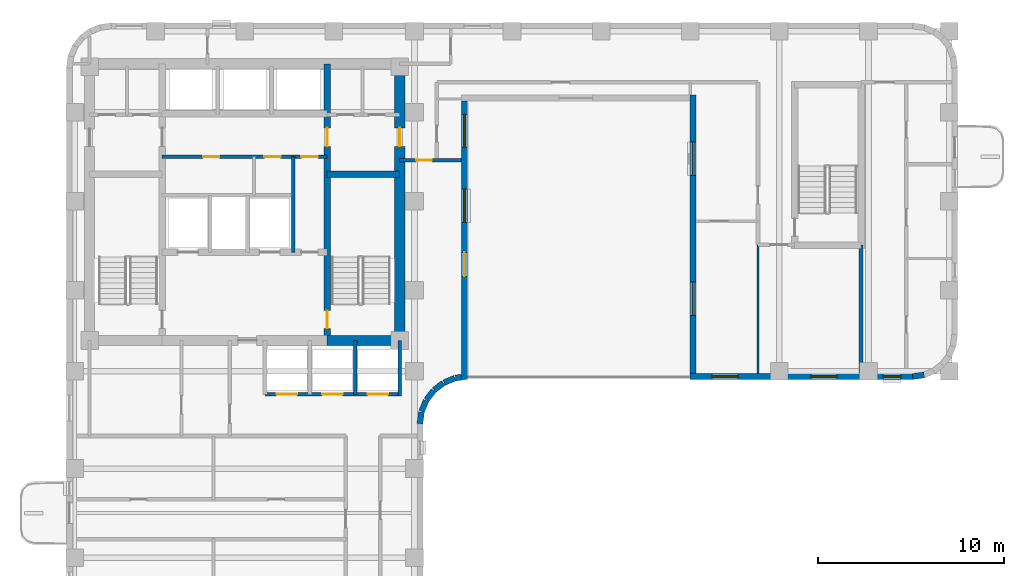
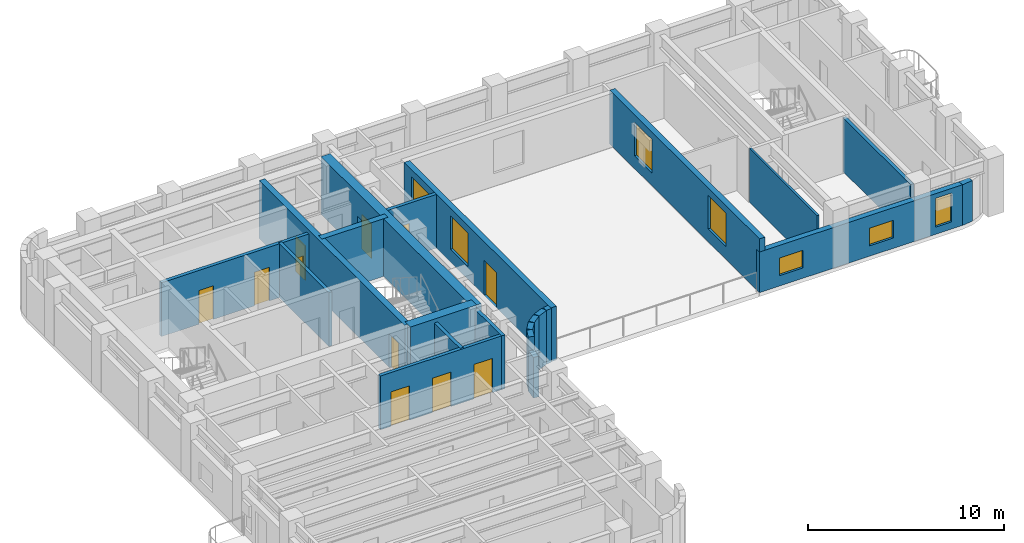
# One storey, part 4 of 9: 22 walls, 11 doors, 7 windows, 18 openings.
"""IFC4 building model written with IfcOpenShell, lengths in metres."""

import ifcopenshell
import ifcopenshell.guid

model = None  # the IFC model being written
_history = None  # IfcOwnerHistory: only IFC2X3 demands one
_inside = {}  # id of a spatial element -> (the spatial element, [elements in it])
_under = {}  # id of a project, library or spatial element -> (it, [spatial elements below it])
_declared = {}  # id of a project -> (the project, [libraries it declares])
_typed = {}  # id of a type object -> (the type object, [elements of that type])
_made_of = {}  # id of a material, layer set ... -> (it, [elements and type objects made of it])


def new_model(schema):
    """Start an empty IFC model of exactly this schema.

    Asked for "IFC4X3", IfcOpenShell would pick the latest addendum, in which some entities
    have other attributes; the version numbers below select the first issue.
    IFC2X3 requires an IfcOwnerHistory on every rooted entity: one is made here for all.
    """
    global model, _history
    if schema == "IFC4X3":
        model = ifcopenshell.file(schema_version=(4, 3, 0, 0))
    else:
        model = ifcopenshell.file(schema=schema)
    _inside.clear()
    _under.clear()
    _declared.clear()
    _typed.clear()
    _made_of.clear()
    _history = None
    if model.schema == "IFC2X3":
        org = make("IfcOrganization", Name="unknown")
        user = make(
            "IfcPersonAndOrganization",
            ThePerson=make("IfcPerson", FamilyName="unknown"),
            TheOrganization=org,
        )
        app = make(
            "IfcApplication",
            ApplicationDeveloper=org,
            Version="unknown",
            ApplicationFullName="unknown",
            ApplicationIdentifier="unknown",
        )
        _history = make(
            "IfcOwnerHistory",
            OwningUser=user,
            OwningApplication=app,
            ChangeAction="ADDED",
            CreationDate=0,
        )
    return model


def make(cls, **values):
    """One entity of the class cls with the attributes given. An attribute that is None is left unset."""
    return model.create_entity(
        cls, **{name: value for name, value in values.items() if value is not None}
    )


def rooted(cls, **values):
    """An entity with a GlobalId (a new one), such as an element, a storey or a relation."""
    return make(cls, GlobalId=ifcopenshell.guid.new(), OwnerHistory=_history, **values)


def si_unit(unit_type, name, prefix=None):
    """IfcSIUnit, for example si_unit("LENGTHUNIT", "METRE", prefix="MILLI")."""
    return make("IfcSIUnit", UnitType=unit_type, Prefix=prefix, Name=name)


def assignment(units):
    """IfcUnitAssignment: the units of a project."""
    return None if units is None else make("IfcUnitAssignment", Units=units)


def point(xyz):
    """IfcCartesianPoint."""
    return None if xyz is None else make("IfcCartesianPoint", Coordinates=xyz)


def direction(xyz):
    """IfcDirection."""
    return None if xyz is None else make("IfcDirection", DirectionRatios=xyz)


def frame(location, z_axis=None, x_axis=None):
    """IfcAxis2Placement3D, a coordinate frame: its origin and axes. An axis left out is left unset."""
    return make(
        "IfcAxis2Placement3D",
        Location=point(location),
        Axis=direction(z_axis),
        RefDirection=direction(x_axis),
    )


def frame_2d(location, x_axis=None):
    """IfcAxis2Placement2D, a coordinate frame in the plane: its origin and x axis."""
    return make(
        "IfcAxis2Placement2D", Location=point(location), RefDirection=direction(x_axis)
    )


def origin():
    """The frame at (0, 0, 0) with its axes left unset."""
    return frame((0.0, 0.0, 0.0))


def place(relative_to, where):
    """IfcLocalPlacement: puts the frame where relative to a parent placement (None: the world)."""
    return make(
        "IfcLocalPlacement", PlacementRelTo=relative_to, RelativePlacement=where
    )


def context(
    kind, dimensions, precision=None, world=None, true_north=None, identifier=None
):
    """IfcGeometricRepresentationContext, for example the 3D "Model" context."""
    return make(
        "IfcGeometricRepresentationContext",
        ContextIdentifier=identifier,
        ContextType=kind,
        CoordinateSpaceDimension=dimensions,
        Precision=precision,
        WorldCoordinateSystem=world,
        TrueNorth=true_north,
    )


def subcontext(parent, identifier, kind, view, scale=None):
    """IfcGeometricRepresentationSubContext, for example "Body" below "Model"."""
    return make(
        "IfcGeometricRepresentationSubContext",
        ContextIdentifier=identifier,
        ContextType=kind,
        ParentContext=parent,
        TargetScale=scale,
        TargetView=view,
    )


def project(units=None, contexts=None):
    """IfcProject with its units and contexts."""
    return rooted(
        "IfcProject",
        Name="project",
        RepresentationContexts=contexts,
        UnitsInContext=assignment(units),
    )


def spatial(cls, under=None, at=None, **own):
    """A site, building, storey or space (cls), placed at a placement, below another one or the project."""
    s = rooted(cls, ObjectPlacement=at, **own)
    if under is not None:
        _under.setdefault(under.id(), (under, []))[1].append(s)
    return s


def profile(cls, at=None, kind="AREA", **sizes):
    """A parametric profile (cls). Its sizes go by their IFC names, for example OverallWidth=200.0."""
    return make(cls, ProfileType=kind, Position=at, **sizes)


def rectangle(**sizes):
    """IfcRectangleProfileDef."""
    return profile("IfcRectangleProfileDef", **sizes)


def extrude(swept, where, along, depth):
    """IfcExtrudedAreaSolid: the profile swept, set in the frame where, extruded along a direction by depth."""
    return make(
        "IfcExtrudedAreaSolid",
        SweptArea=swept,
        Position=where,
        ExtrudedDirection=direction(along),
        Depth=depth,
    )


def shape(context_of_items, identifier, shape_type, items):
    """IfcShapeRepresentation: the items that make up one representation, for example the "Body"."""
    return make(
        "IfcShapeRepresentation",
        ContextOfItems=context_of_items,
        RepresentationIdentifier=identifier,
        RepresentationType=shape_type,
        Items=items,
    )


def material(Name=None, Category=None):
    """IfcMaterial."""
    return make("IfcMaterial", Name=Name, Category=Category)


def layer(
    of_material, thickness, ventilated=None, Name=None, Category=None, Priority=None
):
    """IfcMaterialLayer: one layer of a wall or slab, of a material (None: an air gap)."""
    return make(
        "IfcMaterialLayer",
        Material=of_material,
        LayerThickness=thickness,
        IsVentilated=ventilated,
        Name=Name,
        Category=Category,
        Priority=Priority,
    )


def layer_set(layers, Name=None):
    """IfcMaterialLayerSet."""
    return make("IfcMaterialLayerSet", MaterialLayers=layers, LayerSetName=Name)


def made_of(thing, what):
    """Note that an element or type object is made of a material, layer set ...; save() writes the relation."""
    if what is not None:
        _made_of.setdefault(what.id(), (what, []))[1].append(thing)
    return thing


def type_object(cls, material=None, **own):
    """A type object (cls), such as IfcWallType, which elements share."""
    return made_of(rooted(cls, **own), material)


def element(
    cls,
    number,
    at=None,
    inside=None,
    cuts=None,
    type_object=None,
    material=None,
    context=None,
    identifier="Body",
    shape_type=None,
    held_by="IfcProductDefinitionShape",
    body=None,
    shapes=None,
    **own,
):
    """One element of the class cls, such as IfcWall. Its Tag is "e" and its number.

    at: its placement. inside: the storey or other place that contains it. cuts: it is an
    opening in that element (IfcRelVoidsElement). A single representation is given by context,
    identifier, shape_type and body (its items); several are given by shapes. held_by: the class
    of the entity that holds the representations. save() writes the other relations.
    """
    e = rooted(cls, Tag="e%d" % number, ObjectPlacement=at, **own)
    if body is not None:
        shapes = [shape(context, identifier, shape_type, body)]
    if shapes is not None:
        e.Representation = make(held_by, Representations=shapes)
    if inside is not None:
        _inside.setdefault(inside.id(), (inside, []))[1].append(e)
    if cuts is not None:
        rooted(
            "IfcRelVoidsElement", RelatingBuildingElement=cuts, RelatedOpeningElement=e
        )
    if type_object is not None:
        _typed.setdefault(type_object.id(), (type_object, []))[1].append(e)
    return made_of(e, material)


def fill(opening, filler):
    """IfcRelFillsElement: the door or window that sits in an opening."""
    return rooted(
        "IfcRelFillsElement",
        RelatingOpeningElement=opening,
        RelatedBuildingElement=filler,
    )


def aggregate(whole, parts):
    """IfcRelAggregates: a whole, such as a stair, and the parts it consists of."""
    return rooted("IfcRelAggregates", RelatingObject=whole, RelatedObjects=parts)


def save(model, path):
    """Write the relations noted so far, then the file.

    IfcRelAggregates (storeys below a building ...), IfcRelContainedInSpatialStructure (elements
    in a storey), IfcRelDefinesByType, IfcRelAssociatesMaterial and IfcRelDeclares: one each for
    every whole, place, type object, material and project.
    """
    for whole, parts in _under.values():
        aggregate(whole, parts)
    for where, things in _inside.values():
        rooted(
            "IfcRelContainedInSpatialStructure",
            RelatedElements=things,
            RelatingStructure=where,
        )
    for kind, things in _typed.values():
        rooted("IfcRelDefinesByType", RelatedObjects=things, RelatingType=kind)
    for what, things in _made_of.values():
        rooted("IfcRelAssociatesMaterial", RelatedObjects=things, RelatingMaterial=what)
    for by, libraries in _declared.values():
        rooted("IfcRelDeclares", RelatingContext=by, RelatedDefinitions=libraries)
    model.write(path)


model = new_model("IFC4")

# Units and contexts
model_context = context("Model", 3, precision=1e-05, world=origin(), true_north=direction((0.0, 1.0)))
body_context = subcontext(model_context, "Body", "Model", "MODEL_VIEW")
ifc_project = project(units=[si_unit("LENGTHUNIT", "METRE"), si_unit("AREAUNIT", "SQUARE_METRE"), si_unit("VOLUMEUNIT", "CUBIC_METRE"), si_unit("PLANEANGLEUNIT", "RADIAN"), si_unit("MASSUNIT", "GRAM", prefix="KILO")], contexts=[model_context])

# Site, building, storey
site_placement = place(None, origin())
site = spatial("IfcSite", under=ifc_project, at=site_placement, CompositionType="ELEMENT")
building_placement = place(site_placement, origin())
building = spatial("IfcBuilding", under=site, at=building_placement, Name="Orvandelia Arch Residences", CompositionType="ELEMENT")
storey_placement = place(building_placement, frame((0.0, 0.0, 154.0)))
storey = spatial("IfcBuildingStorey", under=building, at=storey_placement, Name="L40", CompositionType="ELEMENT", Elevation=154.0)

# Wall, openings, doors
ifc_material_1 = material(Name="Concrete C50/60", Category="concrete")
ifc_layer_1 = layer(ifc_material_1, 0.35009765625, Name="Concrete C50/60", Category="concrete")
ifc_layer_set_1 = layer_set([ifc_layer_1], Name="Concrete C50/60")
wall_type_1 = type_object("IfcWallType", Name="WL-CORE-350", PredefinedType="SHEAR", material=ifc_layer_set_1)
wall_1_placement = place(storey_placement, frame((18.840087890625, 30.89990234375, 0.0), z_axis=(0.0, 0.0, 1.0), x_axis=(0.0, 1.0, 0.0)))
wall_1 = element("IfcWall", 1, at=wall_1_placement, inside=storey, type_object=wall_type_1, Name="Core Shear Wall L40-WEB2", PredefinedType="SHEAR", context=body_context, shape_type="SweptSolid", body=[
    extrude(rectangle(XDim=14.900146484375, YDim=0.35009765625, at=frame_2d((7.4501953125, 0.0))), origin(), (0.0, 0.0, 1.0), 3.60009765625),
])
opening_1_placement = place(wall_1_placement, frame((0.64990234375, 0.0, 0.0)))
opening_1 = element("IfcOpeningElement", 2, at=opening_1_placement, cuts=wall_1, Name="Opening D7", PredefinedType="OPENING", context=body_context, shape_type="SweptSolid", body=[
    extrude(rectangle(XDim=0.949951171875, YDim=2.10009765625, at=frame_2d((0.47509765625, 1.050048828125))), frame((0.0, 0.18505859375, 0.0), z_axis=(0.0, -1.0, 0.0), x_axis=(1.0, 0.0, 0.0)), (0.0, 0.0, 1.0), 0.3701171875),
])
opening_2_placement = place(wall_1_placement, frame((10.449951171875, 0.0, 0.0)))
opening_2 = element("IfcOpeningElement", 3, at=opening_2_placement, cuts=wall_1, Name="Opening D6", PredefinedType="OPENING", context=body_context, shape_type="SweptSolid", body=[
    extrude(rectangle(XDim=1.0, YDim=2.14990234375, at=frame_2d((0.5, 1.074951171875))), frame((0.0, 0.18505859375, 0.0), z_axis=(0.0, -1.0, 0.0), x_axis=(1.0, 0.0, 0.0)), (0.0, 0.0, 1.0), 0.3701171875),
])
ifc_material_2 = material(Name="Smokeproof Painted Steel Fire Door", Category="steel")
door_type_1 = type_object("IfcDoorType", Name="DR-FD60-1000", OperationType="NOTDEFINED", PredefinedType="DOOR", material=ifc_material_2)
door_1_placement = place(opening_2_placement, origin())
door_1 = element("IfcDoor", 4, at=door_1_placement, inside=storey, type_object=door_type_1, Name="High-Rise Lift Hall East Vestibule Door L40", OperationType="SINGLE_SWING_RIGHT", OverallHeight=2.14990234375, OverallWidth=1.0, PredefinedType="DOOR", context=body_context, shape_type="SweptSolid", body=[
    extrude(rectangle(XDim=1.0, YDim=2.14990234375, at=frame_2d((0.5, 1.074951171875))), frame((0.0, 0.02490234375, 0.0), z_axis=(0.0, -1.0, 0.0), x_axis=(1.0, 0.0, 0.0)), (0.0, 0.0, 1.0), 0.050048828125),
])
fill(opening_2, door_1)
ifc_material_3 = material(Name="Pressurised Stairwell Fire Door")
door_type_2 = type_object("IfcDoorType", Name="DR-STAIR-950", OperationType="NOTDEFINED", PredefinedType="DOOR", material=ifc_material_3)
door_2_placement = place(opening_1_placement, origin())
door_2 = element("IfcDoor", 5, at=door_2_placement, inside=storey, type_object=door_type_2, Name="Stairwell ST-2 Fire Door L40", OperationType="SINGLE_SWING_RIGHT", OverallHeight=2.10009765625, OverallWidth=0.949951171875, PredefinedType="DOOR", context=body_context, shape_type="SweptSolid", body=[
    extrude(rectangle(XDim=0.949951171875, YDim=2.10009765625, at=frame_2d((0.47509765625, 1.050048828125))), frame((0.0, 0.02490234375, 0.0), z_axis=(0.0, -1.0, 0.0), x_axis=(1.0, 0.0, 0.0)), (0.0, 0.0, 1.0), 0.050048828125),
])
fill(opening_1, door_2)

# Wall
wall_2_placement = place(storey_placement, frame((18.840087890625, 39.85009765625, 0.0), z_axis=(0.0, 0.0, 1.0), x_axis=(1.0, 0.0, 0.0)))
element("IfcWall", 6, at=wall_2_placement, inside=storey, type_object=wall_type_1, Name="Core Shear Wall L40-HZ2", PredefinedType="SHEAR", context=body_context, shape_type="SweptSolid", body=[
    extrude(rectangle(XDim=3.909912109375, YDim=0.35009765625, at=frame_2d((1.955078125, 0.0))), origin(), (0.0, 0.0, 1.0), 3.60009765625),
])

# Wall, opening, door
ifc_material_4 = material(Name="Concrete C60/75", Category="concrete")
ifc_layer_2 = layer(ifc_material_4, 0.550048828125, Name="Concrete C60/75", Category="concrete")
ifc_layer_set_2 = layer_set([ifc_layer_2], Name="Concrete C60/75")
wall_type_2 = type_object("IfcWallType", Name="WL-CORE-550", PredefinedType="SHEAR", material=ifc_layer_set_2)
wall_3_placement = place(storey_placement, frame((22.75, 30.625, 0.0), z_axis=(0.0, 0.0, 1.0), x_axis=(0.0, 1.0, 0.0)))
wall_3 = element("IfcWall", 7, at=wall_3_placement, inside=storey, type_object=wall_type_2, Name="Core Shear Wall L40-E", PredefinedType="SHEAR", context=body_context, shape_type="SweptSolid", body=[
    extrude(rectangle(XDim=15.449951171875, YDim=0.550048828125, at=frame_2d((7.72509765625, 0.0))), origin(), (0.0, 0.0, 1.0), 3.60009765625),
])
opening_3_placement = place(wall_3_placement, frame((10.72509765625, 0.0, 0.0)))
opening_3 = element("IfcOpeningElement", 8, at=opening_3_placement, cuts=wall_3, Name="Opening D6", PredefinedType="OPENING", context=body_context, shape_type="SweptSolid", body=[
    extrude(rectangle(XDim=1.0, YDim=2.14990234375, at=frame_2d((0.5, 1.074951171875))), frame((0.0, 0.28515625, 0.0), z_axis=(0.0, -1.0, 0.0), x_axis=(1.0, 0.0, 0.0)), (0.0, 0.0, 1.0), 0.570068359375),
])
door_3_placement = place(opening_3_placement, origin())
door_3 = element("IfcDoor", 9, at=door_3_placement, inside=storey, type_object=door_type_1, Name="Core East Corridor Link Door L40", OperationType="SINGLE_SWING_LEFT", OverallHeight=2.14990234375, OverallWidth=1.0, PredefinedType="DOOR", context=body_context, shape_type="SweptSolid", body=[
    extrude(rectangle(XDim=1.0, YDim=2.14990234375, at=frame_2d((0.5, 1.074951171875))), frame((0.0, 0.02490234375, 0.0), z_axis=(0.0, -1.0, 0.0), x_axis=(1.0, 0.0, 0.0)), (0.0, 0.0, 1.0), 0.050048828125),
])
fill(opening_3, door_3)

# Wall
wall_4_placement = place(storey_placement, frame((18.840087890625, 30.89990234375, 0.0), z_axis=(0.0, 0.0, 1.0), x_axis=(1.0, 0.0, 0.0)))
element("IfcWall", 10, at=wall_4_placement, inside=storey, type_object=wall_type_2, Name="Core Shear Wall L40-SE", PredefinedType="SHEAR", context=body_context, shape_type="SweptSolid", body=[
    extrude(rectangle(XDim=3.909912109375, YDim=0.550048828125, at=frame_2d((1.955078125, 0.0))), origin(), (0.0, 0.0, 1.0), 3.60009765625),
])

# Wall, opening, door
ifc_material_5 = material(Name="Fire-Rated Corridor Partition")
ifc_layer_3 = layer(ifc_material_5, 0.199951171875, Name="Fire-Rated Corridor Partition")
ifc_layer_set_3 = layer_set([ifc_layer_3], Name="Fire-Rated Corridor Partition")
wall_type_3 = type_object("IfcWallType", Name="WL-CORR-200", PredefinedType="PARTITIONING", material=ifc_layer_set_3)
wall_5_placement = place(storey_placement, frame((22.75, 40.60009765625, 0.0), z_axis=(0.0, 0.0, 1.0), x_axis=(1.0, 0.0, 0.0)))
wall_5 = element("IfcWall", 11, at=wall_5_placement, inside=storey, type_object=wall_type_3, Name="Interior Partition Wall WL-L40-ENP-LS", PredefinedType="PARTITIONING", context=body_context, shape_type="SweptSolid", body=[
    extrude(rectangle(XDim=3.330078125, YDim=0.199951171875, at=frame_2d((1.6650390625, 0.0))), origin(), (0.0, 0.0, 1.0), 3.360107421875),
])
opening_4_placement = place(wall_5_placement, frame((0.8798828125, 0.0, 0.0)))
opening_4 = element("IfcOpeningElement", 12, at=opening_4_placement, cuts=wall_5, Name="Opening D4", PredefinedType="OPENING", context=body_context, shape_type="SweptSolid", body=[
    extrude(rectangle(XDim=0.860107421875, YDim=2.10009765625, at=frame_2d((0.43017578125, 1.050048828125))), frame((0.0, 0.10986328125, 0.0), z_axis=(0.0, -1.0, 0.0), x_axis=(1.0, 0.0, 0.0)), (0.0, 0.0, 1.0), 0.219970703125),
])
ifc_material_6 = material(Name="Moisture-Sealed Timber Bathroom Door", Category="wood")
door_type_3 = type_object("IfcDoorType", Name="DR-WET-900", OperationType="NOTDEFINED", PredefinedType="DOOR", material=ifc_material_6)
door_4_placement = place(opening_4_placement, origin())
door_4 = element("IfcDoor", 13, at=door_4_placement, inside=storey, type_object=door_type_3, Name="DR-L40-VPWL", OperationType="SINGLE_SWING_RIGHT", OverallHeight=2.10009765625, OverallWidth=0.860107421875, PredefinedType="DOOR", context=body_context, shape_type="SweptSolid", body=[
    extrude(rectangle(XDim=0.860107421875, YDim=2.10009765625, at=frame_2d((0.43017578125, 1.050048828125))), frame((0.0, 0.02490234375, 0.0), z_axis=(0.0, -1.0, 0.0), x_axis=(1.0, 0.0, 0.0)), (0.0, 0.0, 1.0), 0.050048828125),
])
fill(opening_4, door_4)

# Walls
ifc_material_7 = material(Name="Concrete C40/50", Category="concrete")
ifc_layer_4 = layer(ifc_material_7, 0.199951171875, Name="Concrete C40/50", Category="concrete")
ifc_layer_set_4 = layer_set([ifc_layer_4], Name="Concrete C40/50")
wall_type_4 = type_object("IfcWallType", Name="WL-DEM-200", PredefinedType="SOLIDWALL", material=ifc_layer_set_4)
wall_6_placement = place(storey_placement, frame((47.60009765625, 29.1201171875, 0.0), z_axis=(0.0, 0.0, 1.0), x_axis=(0.0, 1.0, 0.0)))
element("IfcWall", 14, at=wall_6_placement, inside=storey, type_object=wall_type_4, Name="Interior Partition Wall WL-L40-VPS3-E", PredefinedType="SOLIDWALL", context=body_context, shape_type="SweptSolid", body=[
    extrude(rectangle(XDim=6.919921875, YDim=0.199951171875, at=frame_2d((3.4599609375, 0.0))), origin(), (0.0, 0.0, 1.0), 3.360107421875),
])
ifc_material_8 = material(Name="Precast concrete C40/50", Category="concrete")
ifc_layer_5 = layer(ifc_material_8, 0.320068359375, Name="Precast concrete C40/50", Category="concrete")
ifc_layer_set_5 = layer_set([ifc_layer_5], Name="Precast concrete C40/50")
wall_type_5 = type_object("IfcWallType", Name="WL-EXT-STONE-320", PredefinedType="STANDARD", material=ifc_layer_set_5)
wall_7_placement = place(storey_placement, frame((51.000244140625, 29.040283203125, 0.0), z_axis=(0.0, 0.0, 1.0), x_axis=(-0.9914410257, -0.130555323746, 0.0)))
element("IfcWall", 15, at=wall_7_placement, inside=storey, type_object=wall_type_5, Name="Coral-Limestone Precast Facade Wall L40-020", PredefinedType="STANDARD", context=body_context, shape_type="SweptSolid", body=[
    extrude(rectangle(XDim=0.62646484375, YDim=0.320068359375, at=frame_2d((0.313232421875, 0.0))), origin(), (0.0, 0.0, 1.0), 2.5400390625),
])

# Wall, openings, windows
wall_8_placement = place(storey_placement, frame((50.39990234375, 28.9599609375, 0.0), z_axis=(0.0, 0.0, 1.0), x_axis=(-1.0, 0.0, 0.0)))
wall_8 = element("IfcWall", 16, at=wall_8_placement, inside=storey, type_object=wall_type_5, Name="Coral-Limestone Precast Facade Wall L40-021", PredefinedType="STANDARD", context=body_context, shape_type="SweptSolid", body=[
    extrude(rectangle(XDim=12.0, YDim=0.320068359375, at=frame_2d((6.0, 0.0))), origin(), (0.0, 0.0, 1.0), 2.5400390625),
])
opening_5_placement = place(wall_8_placement, frame((0.656005859375, 0.0, 0.449951171875)))
opening_5 = element("IfcOpeningElement", 17, at=opening_5_placement, cuts=wall_8, Name="Opening W4", PredefinedType="OPENING", context=body_context, shape_type="SweptSolid", body=[
    extrude(rectangle(XDim=0.949951171875, YDim=1.800048828125, at=frame_2d((0.47509765625, 0.89990234375))), frame((0.0, 0.169921875, 0.0), z_axis=(0.0, -1.0, 0.0), x_axis=(1.0, 0.0, 0.0)), (0.0, 0.0, 1.0), 0.340087890625),
])
opening_6_placement = place(wall_8_placement, frame((9.425048828125, 0.0, 0.64990234375)))
opening_6 = element("IfcOpeningElement", 18, at=opening_6_placement, cuts=wall_8, Name="Opening W10", PredefinedType="OPENING", context=body_context, shape_type="SweptSolid", body=[
    extrude(rectangle(XDim=1.39990234375, YDim=1.10009765625, at=frame_2d((0.699951171875, 0.550048828125))), frame((0.0, 0.169921875, 0.0), z_axis=(0.0, -1.0, 0.0), x_axis=(1.0, 0.0, 0.0)), (0.0, 0.0, 1.0), 0.340087890625),
])
opening_7_placement = place(wall_8_placement, frame((4.10009765625, 0.0, 0.64990234375)))
opening_7 = element("IfcOpeningElement", 19, at=opening_7_placement, cuts=wall_8, Name="Opening W10", PredefinedType="OPENING", context=body_context, shape_type="SweptSolid", body=[
    extrude(rectangle(XDim=1.39990234375, YDim=1.10009765625, at=frame_2d((0.699951171875, 0.550048828125))), frame((0.0, 0.169921875, 0.0), z_axis=(0.0, -1.0, 0.0), x_axis=(1.0, 0.0, 0.0)), (0.0, 0.0, 1.0), 0.340087890625),
])
ifc_material_9 = material(Name="Tempered Low-E Insulated Glazing", Category="glass")
window_type_1 = type_object("IfcWindowType", Name="WIN-CLR-1400x1100", PartitioningType="SINGLE_PANEL", PredefinedType="WINDOW", material=ifc_material_9)
window_1_placement = place(opening_6_placement, origin())
window_1 = element("IfcWindow", 20, at=window_1_placement, inside=storey, type_object=window_type_1, Name="Recessed Punched Window L40-007", OverallHeight=1.10009765625, OverallWidth=1.39990234375, PartitioningType="SINGLE_PANEL", PredefinedType="WINDOW", context=body_context, shape_type="SweptSolid", body=[
    extrude(rectangle(XDim=1.39990234375, YDim=1.10009765625, at=frame_2d((0.699951171875, 0.550048828125))), frame((0.0, 0.030029296875, 0.0), z_axis=(0.0, -1.0, 0.0), x_axis=(1.0, 0.0, 0.0)), (0.0, 0.0, 1.0), 0.06005859375),
])
fill(opening_6, window_1)
window_2_placement = place(opening_7_placement, origin())
window_2 = element("IfcWindow", 21, at=window_2_placement, inside=storey, type_object=window_type_1, Name="Recessed Punched Window L40-008", OverallHeight=1.10009765625, OverallWidth=1.39990234375, PartitioningType="SINGLE_PANEL", PredefinedType="WINDOW", context=body_context, shape_type="SweptSolid", body=[
    extrude(rectangle(XDim=1.39990234375, YDim=1.10009765625, at=frame_2d((0.699951171875, 0.550048828125))), frame((0.0, 0.030029296875, 0.0), z_axis=(0.0, -1.0, 0.0), x_axis=(1.0, 0.0, 0.0)), (0.0, 0.0, 1.0), 0.06005859375),
])
fill(opening_7, window_2)
window_type_2 = type_object("IfcWindowType", Name="WIN-RES-0950x1800", PartitioningType="SINGLE_PANEL", PredefinedType="WINDOW", material=ifc_material_9)
window_3_placement = place(opening_5_placement, origin())
window_3 = element("IfcWindow", 22, at=window_3_placement, inside=storey, type_object=window_type_2, Name="Recessed Punched Window L40-006", OverallHeight=1.800048828125, OverallWidth=0.949951171875, PartitioningType="SINGLE_PANEL", PredefinedType="WINDOW", context=body_context, shape_type="SweptSolid", body=[
    extrude(rectangle(XDim=0.949951171875, YDim=1.800048828125, at=frame_2d((0.47509765625, 0.89990234375))), frame((0.0, 0.030029296875, 0.0), z_axis=(0.0, -1.0, 0.0), x_axis=(1.0, 0.0, 0.0)), (0.0, 0.0, 1.0), 0.06005859375),
])
fill(opening_5, window_3)

wall_9_placement = place(storey_placement, frame((38.56005859375, 28.800048828125, 0.0), z_axis=(0.0, 0.0, 1.0), x_axis=(0.0, 1.0, 0.0)))
wall_9 = element("IfcWall", 23, at=wall_9_placement, inside=storey, type_object=wall_type_5, Name="Coral-Limestone Precast Facade Wall L40-022", PredefinedType="STANDARD", context=body_context, shape_type="SweptSolid", body=[
    extrude(rectangle(XDim=15.320068359375, YDim=0.320068359375, at=frame_2d((7.66015625, 0.0))), origin(), (0.0, 0.0, 1.0), 3.360107421875),
])
opening_8_placement = place(wall_9_placement, frame((10.989990234375, 0.0, 0.800048828125)))
opening_8 = element("IfcOpeningElement", 24, at=opening_8_placement, cuts=wall_9, Name="Opening W1", PredefinedType="OPENING", context=body_context, shape_type="SweptSolid", body=[
    extrude(rectangle(XDim=1.800048828125, YDim=2.10009765625, at=frame_2d((0.89990234375, 1.050048828125))), frame((0.0, 0.169921875, 0.0), z_axis=(0.0, -1.0, 0.0), x_axis=(1.0, 0.0, 0.0)), (0.0, 0.0, 1.0), 0.340087890625),
])
opening_9_placement = place(wall_9_placement, frame((3.449951171875, 0.0, 0.800048828125)))
opening_9 = element("IfcOpeningElement", 25, at=opening_9_placement, cuts=wall_9, Name="Opening W1", PredefinedType="OPENING", context=body_context, shape_type="SweptSolid", body=[
    extrude(rectangle(XDim=1.800048828125, YDim=2.10009765625, at=frame_2d((0.89990234375, 1.050048828125))), frame((0.0, 0.169921875, 0.0), z_axis=(0.0, -1.0, 0.0), x_axis=(1.0, 0.0, 0.0)), (0.0, 0.0, 1.0), 0.340087890625),
])
window_type_3 = type_object("IfcWindowType", Name="WIN-RES-1800x2100", PartitioningType="SINGLE_PANEL", PredefinedType="WINDOW", material=ifc_material_9)
window_4_placement = place(opening_8_placement, origin())
window_4 = element("IfcWindow", 26, at=window_4_placement, inside=storey, type_object=window_type_3, Name="Recessed Punched Window L40-009", OverallHeight=2.10009765625, OverallWidth=1.800048828125, PartitioningType="SINGLE_PANEL", PredefinedType="WINDOW", context=body_context, shape_type="SweptSolid", body=[
    extrude(rectangle(XDim=1.800048828125, YDim=2.10009765625, at=frame_2d((0.89990234375, 1.050048828125))), frame((0.0, 0.030029296875, 0.0), z_axis=(0.0, -1.0, 0.0), x_axis=(1.0, 0.0, 0.0)), (0.0, 0.0, 1.0), 0.06005859375),
])
fill(opening_8, window_4)
window_5_placement = place(opening_9_placement, origin())
window_5 = element("IfcWindow", 27, at=window_5_placement, inside=storey, type_object=window_type_3, Name="Recessed Punched Window L40-010", OverallHeight=2.10009765625, OverallWidth=1.800048828125, PartitioningType="SINGLE_PANEL", PredefinedType="WINDOW", context=body_context, shape_type="SweptSolid", body=[
    extrude(rectangle(XDim=1.800048828125, YDim=2.10009765625, at=frame_2d((0.89990234375, 1.050048828125))), frame((0.0, 0.030029296875, 0.0), z_axis=(0.0, -1.0, 0.0), x_axis=(1.0, 0.0, 0.0)), (0.0, 0.0, 1.0), 0.06005859375),
])
fill(opening_9, window_5)

# Wall, openings, door, windows
wall_10_placement = place(storey_placement, frame((26.239990234375, 43.800048828125, 0.0), z_axis=(0.0, 0.0, 1.0), x_axis=(0.0, -1.0, 0.0)))
wall_10 = element("IfcWall", 28, at=wall_10_placement, inside=storey, type_object=wall_type_5, Name="Coral-Limestone Precast Facade Wall L40-024", PredefinedType="STANDARD", context=body_context, shape_type="SweptSolid", body=[
    extrude(rectangle(XDim=15.0, YDim=0.320068359375, at=frame_2d((7.5, 0.0))), origin(), (0.0, 0.0, 1.0), 3.360107421875),
])
opening_10_placement = place(wall_10_placement, frame((8.14990234375, 0.0, 0.0)))
opening_10 = element("IfcOpeningElement", 29, at=opening_10_placement, cuts=wall_10, Name="Opening TD1", PredefinedType="OPENING", context=body_context, shape_type="SweptSolid", body=[
    extrude(rectangle(XDim=1.300048828125, YDim=2.199951171875, at=frame_2d((0.64990234375, 1.10009765625))), frame((0.0, 0.169921875, 0.0), z_axis=(0.0, -1.0, 0.0), x_axis=(1.0, 0.0, 0.0)), (0.0, 0.0, 1.0), 0.340087890625),
])
opening_11_placement = place(wall_10_placement, frame((4.735107421875, 0.0, 0.800048828125)))
opening_11 = element("IfcOpeningElement", 30, at=opening_11_placement, cuts=wall_10, Name="Opening W1", PredefinedType="OPENING", context=body_context, shape_type="SweptSolid", body=[
    extrude(rectangle(XDim=1.800048828125, YDim=2.10009765625, at=frame_2d((0.89990234375, 1.050048828125))), frame((0.0, 0.169921875, 0.0), z_axis=(0.0, -1.0, 0.0), x_axis=(1.0, 0.0, 0.0)), (0.0, 0.0, 1.0), 0.340087890625),
])
opening_12_placement = place(wall_10_placement, frame((0.719970703125, 0.0, 0.800048828125)))
opening_12 = element("IfcOpeningElement", 31, at=opening_12_placement, cuts=wall_10, Name="Opening W1", PredefinedType="OPENING", context=body_context, shape_type="SweptSolid", body=[
    extrude(rectangle(XDim=1.800048828125, YDim=2.10009765625, at=frame_2d((0.89990234375, 1.050048828125))), frame((0.0, 0.169921875, 0.0), z_axis=(0.0, -1.0, 0.0), x_axis=(1.0, 0.0, 0.0)), (0.0, 0.0, 1.0), 0.340087890625),
])
ifc_material_10 = material(Name="Thermally Broken Aluminium Glazed Door", Category="aluminium")
door_type_4 = type_object("IfcDoorType", Name="DR-TERR-GLAZ-1300", OperationType="NOTDEFINED", PredefinedType="DOOR", material=ifc_material_10)
door_5_placement = place(opening_10_placement, origin())
door_5 = element("IfcDoor", 32, at=door_5_placement, inside=storey, type_object=door_type_4, Name="Glazed Sky-Terrace Access Door TERR-L40-PORTAL", OperationType="SINGLE_SWING_LEFT", OverallHeight=2.199951171875, OverallWidth=1.300048828125, PredefinedType="DOOR", context=body_context, shape_type="SweptSolid", body=[
    extrude(rectangle(XDim=1.300048828125, YDim=2.199951171875, at=frame_2d((0.64990234375, 1.10009765625))), frame((0.0, 0.02490234375, 0.0), z_axis=(0.0, -1.0, 0.0), x_axis=(1.0, 0.0, 0.0)), (0.0, 0.0, 1.0), 0.050048828125),
])
fill(opening_10, door_5)
window_6_placement = place(opening_11_placement, origin())
window_6 = element("IfcWindow", 33, at=window_6_placement, inside=storey, type_object=window_type_3, Name="Recessed Punched Window L40-012", OverallHeight=2.10009765625, OverallWidth=1.800048828125, PartitioningType="SINGLE_PANEL", PredefinedType="WINDOW", context=body_context, shape_type="SweptSolid", body=[
    extrude(rectangle(XDim=1.800048828125, YDim=2.10009765625, at=frame_2d((0.89990234375, 1.050048828125))), frame((0.0, 0.030029296875, 0.0), z_axis=(0.0, -1.0, 0.0), x_axis=(1.0, 0.0, 0.0)), (0.0, 0.0, 1.0), 0.06005859375),
])
fill(opening_11, window_6)
window_7_placement = place(opening_12_placement, origin())
window_7 = element("IfcWindow", 34, at=window_7_placement, inside=storey, type_object=window_type_3, Name="Recessed Punched Window L40-013", OverallHeight=2.10009765625, OverallWidth=1.800048828125, PartitioningType="SINGLE_PANEL", PredefinedType="WINDOW", context=body_context, shape_type="SweptSolid", body=[
    extrude(rectangle(XDim=1.800048828125, YDim=2.10009765625, at=frame_2d((0.89990234375, 1.050048828125))), frame((0.0, 0.030029296875, 0.0), z_axis=(0.0, -1.0, 0.0), x_axis=(1.0, 0.0, 0.0)), (0.0, 0.0, 1.0), 0.06005859375),
])
fill(opening_12, window_7)

# Walls
wall_11_placement = place(storey_placement, frame((26.081787109375, 28.91943359375, 0.0), z_axis=(0.0, 0.0, 1.0), x_axis=(-0.991512688813, -0.130009953168, 0.0)))
element("IfcWall", 35, at=wall_11_placement, inside=storey, type_object=wall_type_5, Name="Coral-Limestone Precast Facade Wall L40-025", PredefinedType="STANDARD", context=body_context, shape_type="SweptSolid", body=[
    extrude(rectangle(XDim=0.32666015625, YDim=0.320068359375, at=frame_2d((0.163330078125, 0.0))), origin(), (0.0, 0.0, 1.0), 3.360107421875),
])
wall_12_placement = place(storey_placement, frame((25.717529296875, 28.865966796875, 0.0), z_axis=(0.0, 0.0, 1.0), x_axis=(-0.923836271867, -0.382787856107, 0.0)))
element("IfcWall", 36, at=wall_12_placement, inside=storey, type_object=wall_type_5, Name="Coral-Limestone Precast Facade Wall L40-026", PredefinedType="STANDARD", context=body_context, shape_type="SweptSolid", body=[
    extrude(rectangle(XDim=0.626220703125, YDim=0.320068359375, at=frame_2d((0.31298828125, 0.0))), origin(), (0.0, 0.0, 1.0), 3.360107421875),
])
for number, where, z_axis, x_axis, name in (
    (37, (25.1025390625, 28.60546875, 0.0), (0.0, 0.0, 1.0), (-0.793405610854, -0.608693302629, 0.0), "Coral-Limestone Precast Facade Wall L40-027"),
    (38, (24.575927734375, 28.194580078125, 0.0), (0.0, 0.0, 1.0), (-0.608693302629, -0.793405610854, 0.0), "Coral-Limestone Precast Facade Wall L40-028"),
):
    element("IfcWall", number, at=place(storey_placement, frame(where, z_axis=z_axis, x_axis=x_axis)), inside=storey, type_object=wall_type_5, Name=name, PredefinedType="STANDARD", context=body_context, shape_type="SweptSolid", body=[
        extrude(rectangle(XDim=0.62646484375, YDim=0.320068359375, at=frame_2d((0.313232421875, 0.0))), origin(), (0.0, 0.0, 1.0), 3.360107421875),
    ])
wall_13_placement = place(storey_placement, frame((24.173583984375, 27.6611328125, 0.0), z_axis=(0.0, 0.0, 1.0), x_axis=(-0.382455093999, -0.923974080304, 0.0)))
element("IfcWall", 39, at=wall_13_placement, inside=storey, type_object=wall_type_5, Name="Coral-Limestone Precast Facade Wall L40-029", PredefinedType="STANDARD", context=body_context, shape_type="SweptSolid", body=[
    extrude(rectangle(XDim=0.626220703125, YDim=0.320068359375, at=frame_2d((0.31298828125, 0.0))), origin(), (0.0, 0.0, 1.0), 3.360107421875),
])
wall_14_placement = place(storey_placement, frame((23.923095703125, 27.0419921875, 0.0), z_axis=(0.0, 0.0, 1.0), x_axis=(-0.130555323746, -0.9914410257, 0.0)))
element("IfcWall", 40, at=wall_14_placement, inside=storey, type_object=wall_type_5, Name="Coral-Limestone Precast Facade Wall L40-030", PredefinedType="STANDARD", context=body_context, shape_type="SweptSolid", body=[
    extrude(rectangle(XDim=0.62646484375, YDim=0.320068359375, at=frame_2d((0.313232421875, 0.0))), origin(), (0.0, 0.0, 1.0), 2.5400390625),
])
ifc_material_11 = material(Name="Lightweight Gypsum Stud Partition")
ifc_layer_6 = layer(ifc_material_11, 0.1201171875, Name="Lightweight Gypsum Stud Partition")
ifc_layer_set_6 = layer_set([ifc_layer_6], Name="Lightweight Gypsum Stud Partition")
wall_type_6 = type_object("IfcWallType", Name="WL-PART-120", PredefinedType="PARTITIONING", material=ifc_layer_set_6)
wall_15_placement = place(storey_placement, frame((42.050048828125, 29.1201171875, 0.0), z_axis=(0.0, 0.0, 1.0), x_axis=(0.0, 1.0, 0.0)))
element("IfcWall", 41, at=wall_15_placement, inside=storey, type_object=wall_type_6, Name="Interior Partition Wall WL-L40-VPS3-W", PredefinedType="PARTITIONING", context=body_context, shape_type="SweptSolid", body=[
    extrude(rectangle(XDim=6.929931640625, YDim=0.1201171875, at=frame_2d((3.46484375, 0.0))), origin(), (0.0, 0.0, 1.0), 3.360107421875),
])
ifc_material_12 = material(Name="Fire-Rated Shaft Enclosure Wall")
ifc_layer_7 = layer(ifc_material_12, 0.199951171875, Name="Fire-Rated Shaft Enclosure Wall")
ifc_layer_set_7 = layer_set([ifc_layer_7], Name="Fire-Rated Shaft Enclosure Wall")
wall_type_7 = type_object("IfcWallType", Name="WL-SHAFT-200", PredefinedType="POLYGONAL", material=ifc_layer_set_7)
wall_16_placement = place(storey_placement, frame((17.02001953125, 35.64990234375, 0.0), z_axis=(0.0, 0.0, 1.0), x_axis=(0.0, 1.0, 0.0)))
element("IfcWall", 42, at=wall_16_placement, inside=storey, type_object=wall_type_7, Name="Interior Partition Wall WL-L40-FLM3", PredefinedType="POLYGONAL", context=body_context, shape_type="SweptSolid", body=[
    extrude(rectangle(XDim=5.150146484375, YDim=0.199951171875, at=frame_2d((2.5751953125, 0.0))), origin(), (0.0, 0.0, 1.0), 3.360107421875),
])

# Wall, openings, doors
wall_17_placement = place(storey_placement, frame((9.9599609375, 40.800048828125, 0.0), z_axis=(0.0, 0.0, 1.0), x_axis=(1.0, 0.0, 0.0)))
wall_17 = element("IfcWall", 43, at=wall_17_placement, inside=storey, type_object=wall_type_7, Name="Interior Partition Wall WL-L40-HLH-S", PredefinedType="POLYGONAL", context=body_context, shape_type="SweptSolid", body=[
    extrude(rectangle(XDim=8.880126953125, YDim=0.199951171875, at=frame_2d((4.43994140625, 0.0))), origin(), (0.0, 0.0, 1.0), 3.360107421875),
])
opening_13_placement = place(wall_17_placement, frame((7.5, 0.0, 0.0)))
opening_13 = element("IfcOpeningElement", 44, at=opening_13_placement, cuts=wall_17, Name="Opening D5", PredefinedType="OPENING", context=body_context, shape_type="SweptSolid", body=[
    extrude(rectangle(XDim=0.8798828125, YDim=2.10009765625, at=frame_2d((0.43994140625, 1.050048828125))), frame((0.0, 0.10986328125, 0.0), z_axis=(0.0, -1.0, 0.0), x_axis=(1.0, 0.0, 0.0)), (0.0, 0.0, 1.0), 0.219970703125),
])
opening_14_placement = place(wall_17_placement, frame((2.199951171875, 0.0, 0.0)))
opening_14 = element("IfcOpeningElement", 45, at=opening_14_placement, cuts=wall_17, Name="Opening D5", PredefinedType="OPENING", context=body_context, shape_type="SweptSolid", body=[
    extrude(rectangle(XDim=0.8798828125, YDim=2.10009765625, at=frame_2d((0.43994140625, 1.050048828125))), frame((0.0, 0.10986328125, 0.0), z_axis=(0.0, -1.0, 0.0), x_axis=(1.0, 0.0, 0.0)), (0.0, 0.0, 1.0), 0.219970703125),
])
opening_15_placement = place(wall_17_placement, frame((5.5, 0.0, 0.0)))
opening_15 = element("IfcOpeningElement", 46, at=opening_15_placement, cuts=wall_17, Name="Opening D5", PredefinedType="OPENING", context=body_context, shape_type="SweptSolid", body=[
    extrude(rectangle(XDim=0.8798828125, YDim=2.10009765625, at=frame_2d((0.43994140625, 1.050048828125))), frame((0.0, 0.10986328125, 0.0), z_axis=(0.0, -1.0, 0.0), x_axis=(1.0, 0.0, 0.0)), (0.0, 0.0, 1.0), 0.219970703125),
])
ifc_material_13 = material(Name="Painted Galvanised Steel Service Door", Category="steel")
door_type_5 = type_object("IfcDoorType", Name="DR-SRV-880", OperationType="NOTDEFINED", PredefinedType="DOOR", material=ifc_material_13)
door_6_placement = place(opening_13_placement, origin())
door_6 = element("IfcDoor", 47, at=door_6_placement, inside=storey, type_object=door_type_5, Name="Core Stairway Passage North Fire Door L40", OperationType="SINGLE_SWING_RIGHT", OverallHeight=2.10009765625, OverallWidth=0.8798828125, PredefinedType="DOOR", context=body_context, shape_type="SweptSolid", body=[
    extrude(rectangle(XDim=0.8798828125, YDim=2.10009765625, at=frame_2d((0.43994140625, 1.050048828125))), frame((0.0, 0.02490234375, 0.0), z_axis=(0.0, -1.0, 0.0), x_axis=(1.0, 0.0, 0.0)), (0.0, 0.0, 1.0), 0.050048828125),
])
fill(opening_13, door_6)
door_7_placement = place(opening_14_placement, origin())
door_7 = element("IfcDoor", 48, at=door_7_placement, inside=storey, type_object=door_type_5, Name="DR-L40-CSA1", OperationType="SINGLE_SWING_RIGHT", OverallHeight=2.10009765625, OverallWidth=0.8798828125, PredefinedType="DOOR", context=body_context, shape_type="SweptSolid", body=[
    extrude(rectangle(XDim=0.8798828125, YDim=2.10009765625, at=frame_2d((0.43994140625, 1.050048828125))), frame((0.0, 0.02490234375, 0.0), z_axis=(0.0, -1.0, 0.0), x_axis=(1.0, 0.0, 0.0)), (0.0, 0.0, 1.0), 0.050048828125),
])
fill(opening_14, door_7)
door_8_placement = place(opening_15_placement, origin())
door_8 = element("IfcDoor", 49, at=door_8_placement, inside=storey, type_object=door_type_5, Name="DR-L40-CSA2", OperationType="SINGLE_SWING_LEFT", OverallHeight=2.10009765625, OverallWidth=0.8798828125, PredefinedType="DOOR", context=body_context, shape_type="SweptSolid", body=[
    extrude(rectangle(XDim=0.8798828125, YDim=2.10009765625, at=frame_2d((0.43994140625, 1.050048828125))), frame((0.0, 0.02490234375, 0.0), z_axis=(0.0, -1.0, 0.0), x_axis=(1.0, 0.0, 0.0)), (0.0, 0.0, 1.0), 0.050048828125),
])
fill(opening_15, door_8)

wall_18_placement = place(storey_placement, frame((15.5, 28.0, 0.0), z_axis=(0.0, 0.0, 1.0), x_axis=(1.0, 0.0, 0.0)))
wall_18 = element("IfcWall", 50, at=wall_18_placement, inside=storey, type_object=wall_type_7, Name="Interior Partition Wall WL-L40-BNKM-S", PredefinedType="POLYGONAL", context=body_context, shape_type="SweptSolid", body=[
    extrude(rectangle(XDim=7.25, YDim=0.199951171875, at=frame_2d((3.625, 0.0))), origin(), (0.0, 0.0, 1.0), 3.360107421875),
])
opening_16_placement = place(wall_18_placement, frame((0.625, 0.0, 0.0)))
opening_16 = element("IfcOpeningElement", 51, at=opening_16_placement, cuts=wall_18, Name="Opening LD", PredefinedType="OPENING", context=body_context, shape_type="SweptSolid", body=[
    extrude(rectangle(XDim=1.10009765625, YDim=2.14990234375, at=frame_2d((0.550048828125, 1.074951171875))), frame((0.0, 0.10986328125, 0.0), z_axis=(0.0, -1.0, 0.0), x_axis=(1.0, 0.0, 0.0)), (0.0, 0.0, 1.0), 0.219970703125),
])
opening_17_placement = place(wall_18_placement, frame((3.074951171875, 0.0, 0.0)))
opening_17 = element("IfcOpeningElement", 52, at=opening_17_placement, cuts=wall_18, Name="Opening LD", PredefinedType="OPENING", context=body_context, shape_type="SweptSolid", body=[
    extrude(rectangle(XDim=1.10009765625, YDim=2.14990234375, at=frame_2d((0.550048828125, 1.074951171875))), frame((0.0, 0.10986328125, 0.0), z_axis=(0.0, -1.0, 0.0), x_axis=(1.0, 0.0, 0.0)), (0.0, 0.0, 1.0), 0.219970703125),
])
opening_18_placement = place(wall_18_placement, frame((5.52490234375, 0.0, 0.0)))
opening_18 = element("IfcOpeningElement", 53, at=opening_18_placement, cuts=wall_18, Name="Opening LD", PredefinedType="OPENING", context=body_context, shape_type="SweptSolid", body=[
    extrude(rectangle(XDim=1.10009765625, YDim=2.14990234375, at=frame_2d((0.550048828125, 1.074951171875))), frame((0.0, 0.10986328125, 0.0), z_axis=(0.0, -1.0, 0.0), x_axis=(1.0, 0.0, 0.0)), (0.0, 0.0, 1.0), 0.219970703125),
])
ifc_material_14 = material(Name="Brushed Stainless Steel Sliding Lift Door", Category="steel")
door_type_6 = type_object("IfcDoorType", Name="DR-LIFT-1100", OperationType="NOTDEFINED", PredefinedType="DOOR", material=ifc_material_14)
door_9_placement = place(opening_16_placement, origin())
door_9 = element("IfcDoor", 54, at=door_9_placement, inside=storey, type_object=door_type_6, Name="Lift Landing Door LD-PM1", OperationType="SLIDING_TO_LEFT", OverallHeight=2.14990234375, OverallWidth=1.10009765625, PredefinedType="DOOR", context=body_context, shape_type="SweptSolid", body=[
    extrude(rectangle(XDim=1.10009765625, YDim=2.14990234375, at=frame_2d((0.550048828125, 1.074951171875))), frame((0.0, 0.02490234375, 0.0), z_axis=(0.0, -1.0, 0.0), x_axis=(1.0, 0.0, 0.0)), (0.0, 0.0, 1.0), 0.050048828125),
])
fill(opening_16, door_9)
door_10_placement = place(opening_17_placement, origin())
door_10 = element("IfcDoor", 55, at=door_10_placement, inside=storey, type_object=door_type_6, Name="Lift Landing Door LD-PM2", OperationType="SLIDING_TO_RIGHT", OverallHeight=2.14990234375, OverallWidth=1.10009765625, PredefinedType="DOOR", context=body_context, shape_type="SweptSolid", body=[
    extrude(rectangle(XDim=1.10009765625, YDim=2.14990234375, at=frame_2d((0.550048828125, 1.074951171875))), frame((0.0, 0.02490234375, 0.0), z_axis=(0.0, -1.0, 0.0), x_axis=(1.0, 0.0, 0.0)), (0.0, 0.0, 1.0), 0.050048828125),
])
fill(opening_17, door_10)
door_11_placement = place(opening_18_placement, origin())
door_11 = element("IfcDoor", 56, at=door_11_placement, inside=storey, type_object=door_type_6, Name="Lift Landing Door LD-PM3", OperationType="SLIDING_TO_LEFT", OverallHeight=2.14990234375, OverallWidth=1.10009765625, PredefinedType="DOOR", context=body_context, shape_type="SweptSolid", body=[
    extrude(rectangle(XDim=1.10009765625, YDim=2.14990234375, at=frame_2d((0.550048828125, 1.074951171875))), frame((0.0, 0.02490234375, 0.0), z_axis=(0.0, -1.0, 0.0), x_axis=(1.0, 0.0, 0.0)), (0.0, 0.0, 1.0), 0.050048828125),
])
fill(opening_18, door_11)

# Walls
wall_19_placement = place(storey_placement, frame((22.75, 27.89990234375, 0.0), z_axis=(0.0, 0.0, 1.0), x_axis=(0.0, 1.0, 0.0)))
element("IfcWall", 57, at=wall_19_placement, inside=storey, type_object=wall_type_7, Name="Interior Partition Wall WL-L40-BNKM-E", PredefinedType="POLYGONAL", context=body_context, shape_type="SweptSolid", body=[
    extrude(rectangle(XDim=3.0, YDim=0.199951171875, at=frame_2d((1.5, 0.0))), origin(), (0.0, 0.0, 1.0), 3.360107421875),
])
wall_20_placement = place(storey_placement, frame((20.35009765625, 28.0, 0.0), z_axis=(0.0, 0.0, 1.0), x_axis=(0.0, 1.0, 0.0)))
element("IfcWall", 58, at=wall_20_placement, inside=storey, type_object=wall_type_7, Name="Interior Partition Wall WL-L40-BNKMD-2035", PredefinedType="POLYGONAL", context=body_context, shape_type="SweptSolid", body=[
    extrude(rectangle(XDim=2.89990234375, YDim=0.199951171875, at=frame_2d((1.449951171875, 0.0))), origin(), (0.0, 0.0, 1.0), 3.360107421875),
])

save(model, "model.ifc")
